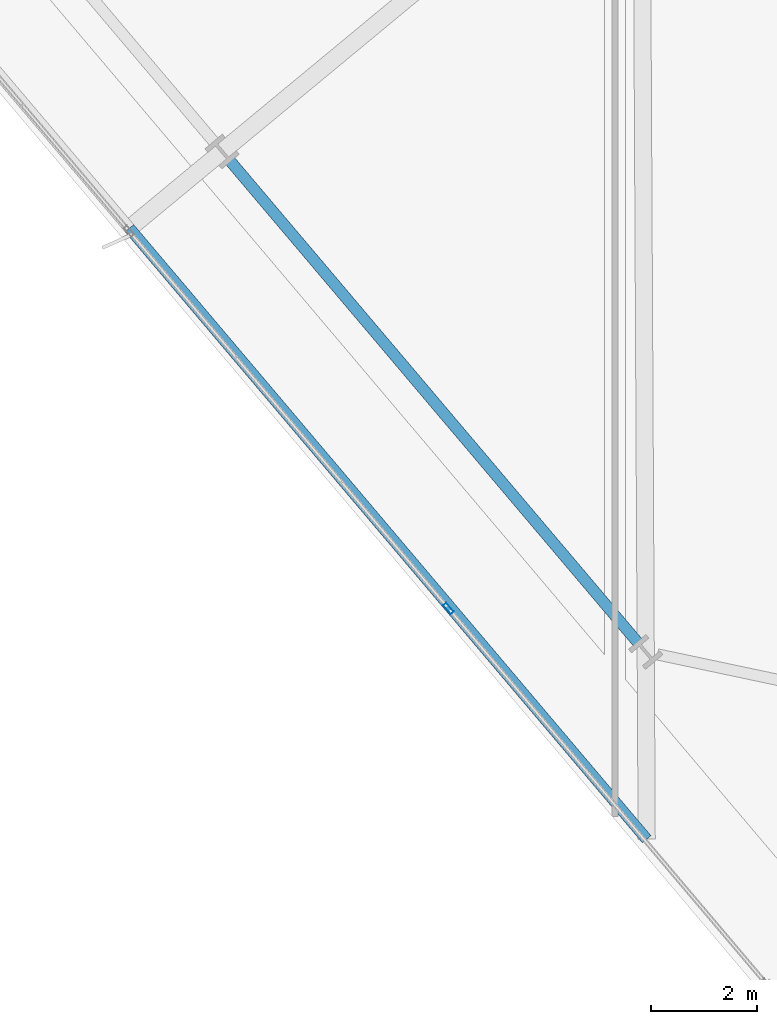
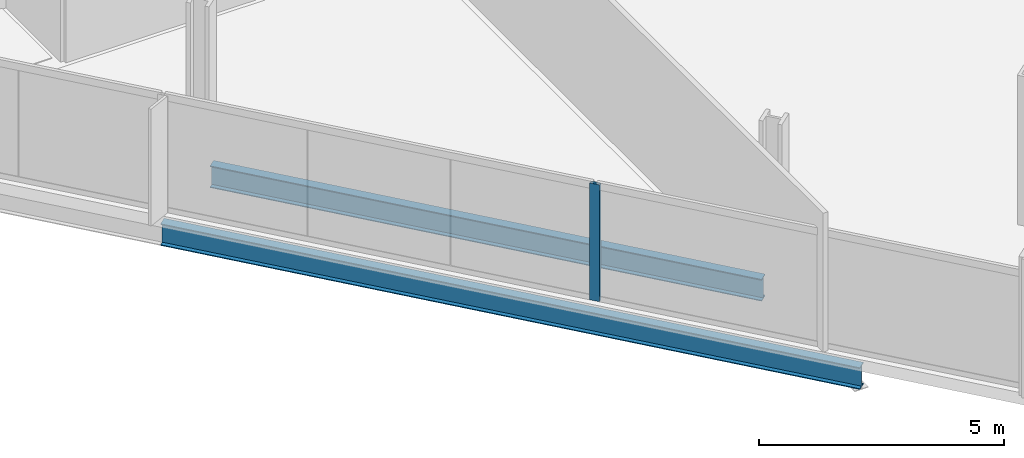
# One storey, part 4 of 34: 2 beams, 1 member, 1 element without a shape of its own.
"""IFC4 building model written with IfcOpenShell, lengths in metres."""

from ifc_helpers import new_model, si_unit, direction, frame, origin, origin_2d, place, context, subcontext, project, spatial, hollow_rectangle, i_section, extrude, material, material_profile, profile_set, type_object, element, aggregate, save


model = new_model("IFC4")

# Units and contexts
model_context = context("Model", 3, precision=1e-05, world=origin(), true_north=direction((0.0, 1.0)))
body_context = subcontext(model_context, "Body", "Model", "MODEL_VIEW")
ifc_project = project(units=[si_unit("LENGTHUNIT", "METRE"), si_unit("AREAUNIT", "SQUARE_METRE"), si_unit("VOLUMEUNIT", "CUBIC_METRE"), si_unit("PLANEANGLEUNIT", "RADIAN"), si_unit("MASSUNIT", "GRAM", prefix="KILO")], contexts=[model_context])

# Site, building, storey
site_placement = place(None, origin())
site = spatial("IfcSite", under=ifc_project, at=site_placement, CompositionType="ELEMENT")
building_placement = place(site_placement, origin())
building = spatial("IfcBuilding", under=site, at=building_placement, Name="Haldenkirk Collegiate Tower", CompositionType="ELEMENT")
storey_placement = place(building_placement, frame((0.0, 0.0, 163.199951171875)))
storey = spatial("IfcBuildingStorey", under=building, at=storey_placement, Name="L40", CompositionType="ELEMENT", Elevation=163.199951171875)

# Beams
ifc_material_1 = material(Name="Steel ASTM A992 Grade 50", Category="steel")
ifc_material_profile_1 = material_profile(ifc_material_1, i_section(OverallWidth=0.2119140625, OverallDepth=0.5439453125, WebThickness=0.01318359375, FlangeThickness=0.021240234375, at=origin_2d()), Name="W21X83")
ifc_profile_set_1 = profile_set([ifc_material_profile_1], Name="Steel ASTM A992 Grade 50")
beam_type = type_object("IfcBeamType", Name="BM-SPANDREL-W21X83", PredefinedType="SPANDREL", material=ifc_profile_set_1)
beam_1_placement = place(storey_placement, frame((19.202880859375, 11.250732421875, -0.56201171875), z_axis=(0.646115074743, -0.763240008248, 0.0), x_axis=(0.763240008248, 0.646115074743, 0.0)))
element("IfcBeam", 1, at=beam_1_placement, inside=storey, type_object=beam_type, Name="L40 perimeter spandrel beam 15", PredefinedType="SPANDREL", context=body_context, shape_type="SweptSolid", body=[
    extrude(i_section(OverallWidth=0.2119140625, OverallDepth=0.5439453125, WebThickness=0.01318359375, FlangeThickness=0.021240234375, at=origin_2d()), origin(), (0.0, 0.0, 1.0), 11.966796875),
])
beam_2_placement = place(storey_placement, frame((17.298095703125, 9.971923828125, -0.56201171875), z_axis=(0.646130490157, -0.763226958177, 0.0), x_axis=(0.763226958177, 0.646130490157, 0.0)))
element("IfcBeam", 2, at=beam_2_placement, inside=storey, type_object=beam_type, Name="L40 outer facade edge beam 4B", PredefinedType="SPANDREL", context=body_context, shape_type="SweptSolid", body=[
    extrude(i_section(OverallWidth=0.2119140625, OverallDepth=0.5439453125, WebThickness=0.01318359375, FlangeThickness=0.021240234375, at=origin_2d()), origin(), (0.0, 0.0, 1.0), 15.172119140625),
])

# Curtain wall, member
ifc_material_2 = material(Name="Anodised architectural bronze aluminium", Category="aluminium")
curtain_wall_type = type_object("IfcCurtainWallType", Name="CW-SYS1-CONVEX-LOW", PredefinedType="USERDEFINED", material=ifc_material_2)
curtain_wall_placement = place(storey_placement, origin())
curtain_wall = element("IfcCurtainWall", 3, at=curtain_wall_placement, inside=storey, type_object=curtain_wall_type, Name="L40 Lower tower convex bronze-framed unitised curtain wall", ObjectType="UNITISED CURTAIN WALL", PredefinedType="USERDEFINED")
ifc_material_profile_2 = material_profile(ifc_material_2, hollow_rectangle(XDim=0.080078125, YDim=0.219970703125, WallThickness=0.0048828125, at=origin_2d()), Name="CW-MUL-1A")
ifc_profile_set_2 = profile_set([ifc_material_profile_2], Name="Anodised architectural bronze aluminium")
member_type = type_object("IfcMemberType", Name="CW-MUL-1A", PredefinedType="MULLION", material=ifc_profile_set_2)
member_placement = place(storey_placement, frame((23.345703125, 2.766357421875, 0.0), z_axis=(0.0, 0.0, 1.0), x_axis=(-0.763233122945, -0.646123208095, 0.0)))
member = element("IfcMember", 4, at=member_placement, type_object=member_type, Name="CW-1A mullion 2", PredefinedType="MULLION", context=body_context, shape_type="SweptSolid", body=[
    extrude(hollow_rectangle(XDim=0.080078125, YDim=0.219970703125, WallThickness=0.0048828125, at=origin_2d()), origin(), (0.0, 0.0, 1.0), 2.9111328125),
])
aggregate(curtain_wall, [member])

save(model, "model.ifc")
